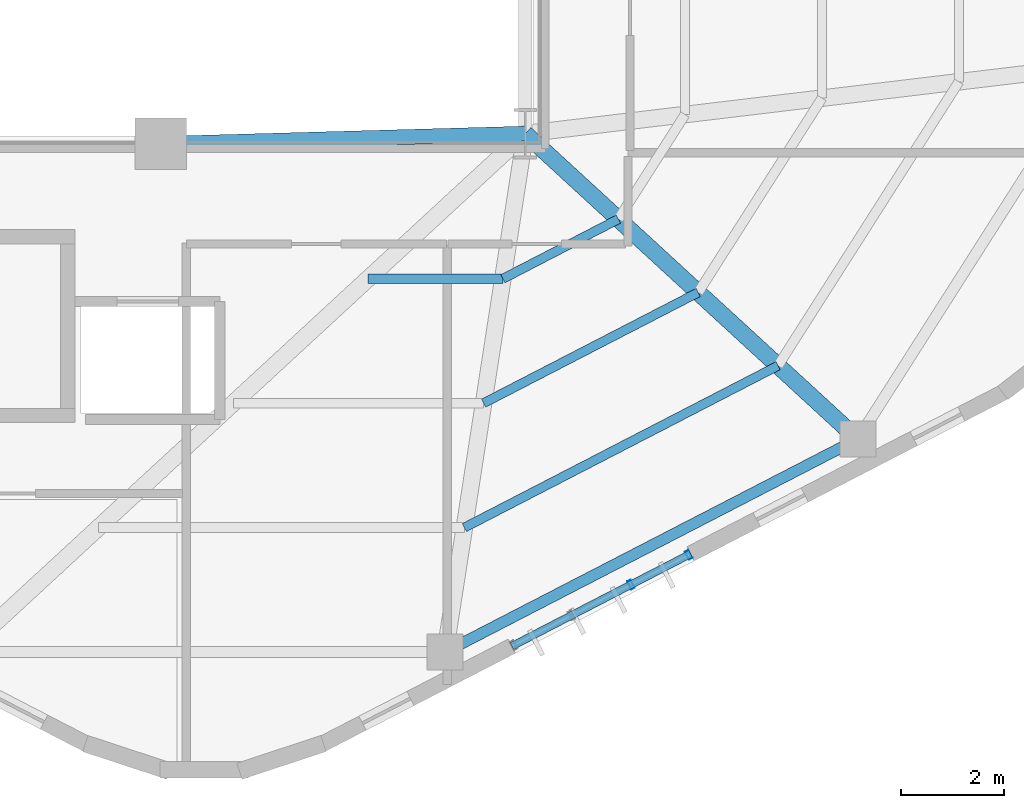
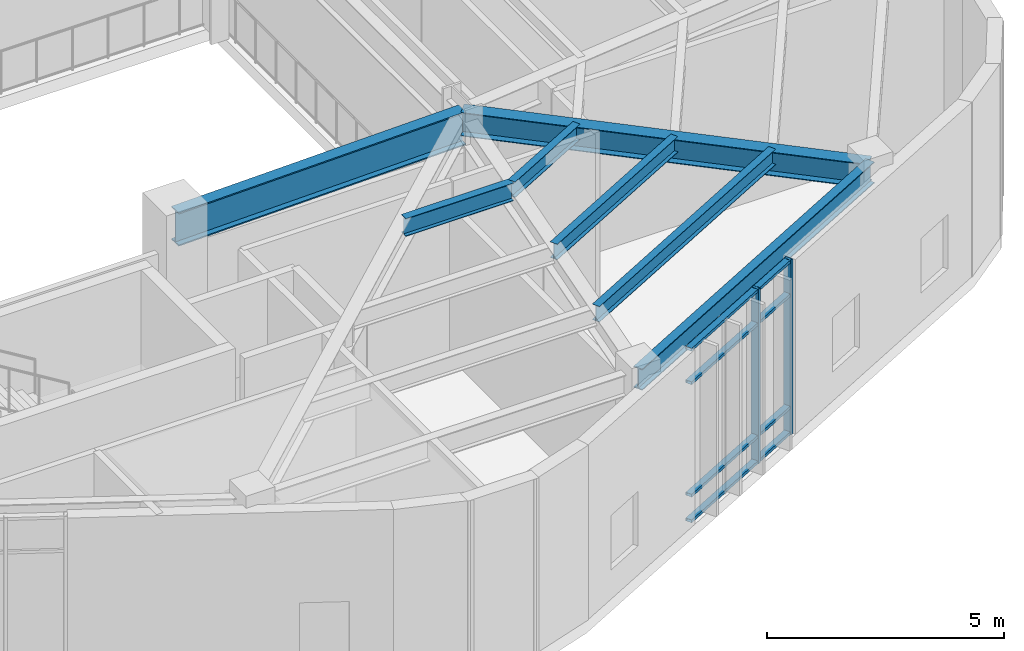
# One storey, part 4 of 18: 7 beams, 6 members, 1 element without a shape of its own.
"""IFC4 building model written with IfcOpenShell, lengths in metres."""

from ifc_helpers import new_model, si_unit, direction, frame, origin, origin_2d, place, context, subcontext, project, spatial, hollow_rectangle, i_section, extrude, material, layer, layer_set, material_profile, profile_set, type_object, element, aggregate, save


model = new_model("IFC4")

# Units and contexts
model_context = context("Model", 3, precision=1e-05, world=origin(), true_north=direction((0.0, 1.0)))
body_context = subcontext(model_context, "Body", "Model", "MODEL_VIEW")
ifc_project = project(units=[si_unit("LENGTHUNIT", "METRE"), si_unit("AREAUNIT", "SQUARE_METRE"), si_unit("VOLUMEUNIT", "CUBIC_METRE"), si_unit("PLANEANGLEUNIT", "RADIAN"), si_unit("MASSUNIT", "GRAM", prefix="KILO"), si_unit("THERMODYNAMICTEMPERATUREUNIT", "KELVIN"), si_unit("POWERUNIT", "WATT")], contexts=[model_context])

# Site, building, storey
site_placement = place(None, origin())
site = spatial("IfcSite", under=ifc_project, at=site_placement, CompositionType="ELEMENT")
building_placement = place(site_placement, origin())
building = spatial("IfcBuilding", under=site, at=building_placement, Name="Skarre Station Tower", CompositionType="ELEMENT")
storey_placement = place(building_placement, frame((0.0, 0.0, 270.300048828125)))
storey = spatial("IfcBuildingStorey", under=building, at=storey_placement, Name="L74", CompositionType="ELEMENT", Elevation=270.300048828125)

# Curtain wall, members
ifc_material_1 = material(Name="Thermally Broken Bronze-Anodized Aluminium & Triple Low-E Glass", Category="aluminium")
ifc_layer = layer(ifc_material_1, 0.219970703125, Name="Thermally Broken Bronze-Anodized Aluminium & Triple Low-E Glass")
ifc_layer_set = layer_set([ifc_layer], Name="Thermally Broken Bronze-Anodized Aluminium & Triple Low-E Glass")
curtain_wall_type = type_object("IfcCurtainWallType", Name="Observation Deck Panorama Unitised Curtain Wall", PredefinedType="NOTDEFINED", material=ifc_layer_set)
curtain_wall_placement = place(storey_placement, origin())
curtain_wall = element("IfcCurtainWall", 1, at=curtain_wall_placement, inside=storey, type_object=curtain_wall_type, Name="L74 Facet 4 Observatory Curtain Wall", PredefinedType="NOTDEFINED")
ifc_material_2 = material(Name="Anodized Aluminium 6063-T6", Category="aluminium")
ifc_material_profile_1 = material_profile(ifc_material_2, hollow_rectangle(XDim=0.074951171875, YDim=0.14990234375, WallThickness=0.00390625, at=origin_2d()), Name="Anodized Aluminium 6063-T6")
ifc_profile_set_1 = profile_set([ifc_material_profile_1], Name="Anodized Aluminium 6063-T6")
member_type_1 = type_object("IfcMemberType", Name="Curtain-Wall Secondary Transom 150x75", PredefinedType="USERDEFINED", material=ifc_profile_set_1)
member_1_placement = place(storey_placement, frame((42.6708984375, 10.465087890625, 0.0400390625), z_axis=(-0.888470771822, -0.458933206053, 0.0), x_axis=(0.0, 0.0, 1.0)))
member_1 = element("IfcMember", 2, at=member_1_placement, type_object=member_type_1, Name="L74 Facet 4 Observatory Curtain Wall Transom 1", ObjectType="TRANSOM", PredefinedType="USERDEFINED", context=body_context, shape_type="SweptSolid", body=[
    extrude(hollow_rectangle(XDim=0.074951171875, YDim=0.14990234375, WallThickness=0.00390625, at=origin_2d()), origin(), (0.0, 0.0, 1.0), 3.920166015625),
])
member_2_placement = place(storey_placement, frame((42.6708984375, 10.465087890625, 0.699951171875), z_axis=(-0.888470771822, -0.458933206053, 0.0), x_axis=(0.0, 0.0, 1.0)))
member_2 = element("IfcMember", 3, at=member_2_placement, type_object=member_type_1, Name="L74 Facet 4 Observatory Curtain Wall Transom 2", ObjectType="TRANSOM", PredefinedType="USERDEFINED", context=body_context, shape_type="SweptSolid", body=[
    extrude(hollow_rectangle(XDim=0.074951171875, YDim=0.14990234375, WallThickness=0.00390625, at=origin_2d()), origin(), (0.0, 0.0, 1.0), 3.920166015625),
])
member_3_placement = place(storey_placement, frame((42.6708984375, 10.465087890625, 3.58984375), z_axis=(-0.888470771822, -0.458933206053, 0.0), x_axis=(0.0, 0.0, 1.0)))
member_3 = element("IfcMember", 4, at=member_3_placement, type_object=member_type_1, Name="L74 Facet 4 Observatory Curtain Wall Transom 3", ObjectType="TRANSOM", PredefinedType="USERDEFINED", context=body_context, shape_type="SweptSolid", body=[
    extrude(hollow_rectangle(XDim=0.074951171875, YDim=0.14990234375, WallThickness=0.00390625, at=origin_2d()), origin(), (0.0, 0.0, 1.0), 3.920166015625),
])
member_4_placement = place(storey_placement, frame((42.6708984375, 10.465087890625, 4.449951171875), z_axis=(-0.888470771822, -0.458933206053, 0.0), x_axis=(0.0, 0.0, 1.0)))
member_4 = element("IfcMember", 5, at=member_4_placement, type_object=member_type_1, Name="L74 Facet 4 Observatory Curtain Wall Transom 4", ObjectType="TRANSOM", PredefinedType="USERDEFINED", context=body_context, shape_type="SweptSolid", body=[
    extrude(hollow_rectangle(XDim=0.074951171875, YDim=0.14990234375, WallThickness=0.00390625, at=origin_2d()), origin(), (0.0, 0.0, 1.0), 3.920166015625),
])
ifc_material_profile_2 = material_profile(ifc_material_2, hollow_rectangle(XDim=0.074951171875, YDim=0.179931640625, WallThickness=0.00390625, at=origin_2d()), Name="Anodized Aluminium 6063-T6")
ifc_profile_set_2 = profile_set([ifc_material_profile_2], Name="Anodized Aluminium 6063-T6")
member_type_2 = type_object("IfcMemberType", Name="Curtain-Wall Unitised Tower Mullion 180x75", PredefinedType="MULLION", material=ifc_profile_set_2)
member_5_placement = place(storey_placement, frame((42.635009765625, 10.447021484375, 0.0), z_axis=(0.0, 0.0, 1.0), x_axis=(-0.88848110948, -0.458913192332, 0.0)))
member_5 = element("IfcMember", 6, at=member_5_placement, type_object=member_type_2, Name="L74 Facet 4 Observatory Curtain Wall Mullion 1", PredefinedType="MULLION", context=body_context, shape_type="SweptSolid", body=[
    extrude(hollow_rectangle(XDim=0.074951171875, YDim=0.179931640625, WallThickness=0.00390625, at=origin_2d()), origin(), (0.0, 0.0, 1.0), 4.489990234375),
])
member_6_placement = place(storey_placement, frame((41.510009765625, 9.864990234375, 0.0), z_axis=(0.0, 0.0, 1.0), x_axis=(-0.88848110948, -0.458913192332, 0.0)))
member_6 = element("IfcMember", 7, at=member_6_placement, type_object=member_type_2, Name="L74 Facet 4 Observatory Curtain Wall Mullion 2", PredefinedType="MULLION", context=body_context, shape_type="SweptSolid", body=[
    extrude(hollow_rectangle(XDim=0.074951171875, YDim=0.179931640625, WallThickness=0.00390625, at=origin_2d()), origin(), (0.0, 0.0, 1.0), 4.489990234375),
])
aggregate(curtain_wall, [member_5, member_6, member_1, member_2, member_3, member_4])

# Beams
ifc_material_3 = material(Name="Steel ASTM A992 Grade 50", Category="steel")
ifc_material_profile_3 = material_profile(ifc_material_3, i_section(OverallWidth=0.323974609375, OverallDepth=0.611083984375, WebThickness=0.012939453125, FlangeThickness=0.01904296875, at=origin_2d()), Name="Steel ASTM A992 Grade 50")
ifc_profile_set_3 = profile_set([ifc_material_profile_3], Name="Steel ASTM A992 Grade 50")
beam_type_1 = type_object("IfcBeamType", Name="Steel Beam W24X104", PredefinedType="BEAM", material=ifc_profile_set_3)
beam_1_placement = place(storey_placement, frame((39.449951171875, 18.64990234375, 4.18505859375), z_axis=(0.736547671183, -0.676385635621, 0.0), x_axis=(0.676385635621, 0.736547671183, 0.0)))
element("IfcBeam", 8, at=beam_1_placement, inside=storey, type_object=beam_type_1, Name="L74 Radial Floor Girder F4C2", PredefinedType="BEAM", context=body_context, shape_type="SweptSolid", body=[
    extrude(i_section(OverallWidth=0.323974609375, OverallDepth=0.611083984375, WebThickness=0.012939453125, FlangeThickness=0.01904296875, at=origin_2d()), origin(), (0.0, 0.0, 1.0), 8.793701171875),
])
ifc_material_profile_4 = material_profile(ifc_material_3, i_section(OverallWidth=0.2919921875, OverallDepth=0.85888671875, WebThickness=0.01708984375, FlangeThickness=0.031005859375, at=origin_2d()), Name="Steel ASTM A992 Grade 50")
ifc_profile_set_4 = profile_set([ifc_material_profile_4], Name="Steel ASTM A992 Grade 50")
beam_type_2 = type_object("IfcBeamType", Name="Steel Beam W33X169", PredefinedType="BEAM", material=ifc_profile_set_4)
beam_2_placement = place(storey_placement, frame((32.35009765625, 18.449951171875, 4.06103515625), z_axis=(0.999603666405, 0.028151556095, 0.0), x_axis=(-0.028151556095, 0.999603666405, 0.0)))
element("IfcBeam", 9, at=beam_2_placement, inside=storey, type_object=beam_type_2, Name="L74 Atrium South Edge Girder", PredefinedType="BEAM", context=body_context, shape_type="SweptSolid", body=[
    extrude(i_section(OverallWidth=0.2919921875, OverallDepth=0.85888671875, WebThickness=0.01708984375, FlangeThickness=0.031005859375, at=origin_2d()), origin(), (0.0, 0.0, 1.0), 7.102783203125),
])
ifc_material_profile_5 = material_profile(ifc_material_3, i_section(OverallWidth=0.177978515625, OverallDepth=0.403076171875, WebThickness=0.008056640625, FlangeThickness=0.010986328125, at=origin_2d()), Name="Steel ASTM A992 Grade 50")
ifc_profile_set_5 = profile_set([ifc_material_profile_5], Name="Steel ASTM A992 Grade 50")
beam_type_3 = type_object("IfcBeamType", Name="Steel Joist W16X36", PredefinedType="JOIST", material=ifc_profile_set_5)
beam_3_placement = place(storey_placement, frame((39.012939453125, 15.822998046875, 4.2890625), z_axis=(0.888569970054, 0.458741112522, 0.0), x_axis=(-0.458741112522, 0.888569970054, 0.0)))
element("IfcBeam", 10, at=beam_3_placement, inside=storey, type_object=beam_type_3, Name="L74 Auxiliary Composite Joist 15", PredefinedType="JOIST", context=body_context, shape_type="SweptSolid", body=[
    extrude(i_section(OverallWidth=0.177978515625, OverallDepth=0.403076171875, WebThickness=0.008056640625, FlangeThickness=0.010986328125, at=origin_2d()), origin(), (0.0, 0.0, 1.0), 2.533203125),
])
beam_4_placement = place(storey_placement, frame((38.637939453125, 13.39990234375, 4.2890625), z_axis=(0.88866637077, 0.458554338614, 0.0), x_axis=(-0.458554338614, 0.88866637077, 0.0)))
element("IfcBeam", 11, at=beam_4_placement, inside=storey, type_object=beam_type_3, Name="L74 Auxiliary Composite Joist 16", PredefinedType="JOIST", context=body_context, shape_type="SweptSolid", body=[
    extrude(i_section(OverallWidth=0.177978515625, OverallDepth=0.403076171875, WebThickness=0.008056640625, FlangeThickness=0.010986328125, at=origin_2d()), origin(), (0.0, 0.0, 1.0), 4.703857421875),
])
beam_5_placement = place(storey_placement, frame((38.263916015625, 10.97607421875, 4.2890625), z_axis=(0.888578636, 0.458724326414, 0.0), x_axis=(-0.458724326414, 0.888578636, 0.0)))
element("IfcBeam", 12, at=beam_5_placement, inside=storey, type_object=beam_type_3, Name="L74 Auxiliary Composite Joist 17", PredefinedType="JOIST", context=body_context, shape_type="SweptSolid", body=[
    extrude(i_section(OverallWidth=0.177978515625, OverallDepth=0.403076171875, WebThickness=0.008056640625, FlangeThickness=0.010986328125, at=origin_2d()), origin(), (0.0, 0.0, 1.0), 6.875244140625),
])
ifc_material_profile_6 = material_profile(ifc_material_3, i_section(OverallWidth=0.19091796875, OverallDepth=0.45703125, WebThickness=0.009033203125, FlangeThickness=0.013916015625, at=origin_2d()), Name="Steel ASTM A992 Grade 50")
ifc_profile_set_6 = profile_set([ifc_material_profile_6], Name="Steel ASTM A992 Grade 50")
beam_type_4 = type_object("IfcBeamType", Name="Steel Joist W18X50", PredefinedType="JOIST", material=ifc_profile_set_6)
beam_6_placement = place(storey_placement, frame((36.386962890625, 15.822998046875, 4.261962890625), z_axis=(1.0, 0.0, 0.0), x_axis=(0.0, 1.0, 0.0)))
element("IfcBeam", 13, at=beam_6_placement, inside=storey, type_object=beam_type_4, Name="L74 Auxiliary Composite Joist 12", PredefinedType="JOIST", context=body_context, shape_type="SweptSolid", body=[
    extrude(i_section(OverallWidth=0.19091796875, OverallDepth=0.45703125, WebThickness=0.009033203125, FlangeThickness=0.013916015625, at=origin_2d()), origin(), (0.0, 0.0, 1.0), 2.6259765625),
])
ifc_material_profile_7 = material_profile(ifc_material_3, i_section(OverallWidth=0.214111328125, OverallDepth=0.549072265625, WebThickness=0.014892578125, FlangeThickness=0.02392578125, at=origin_2d()), Name="Steel ASTM A992 Grade 50")
ifc_profile_set_7 = profile_set([ifc_material_profile_7], Name="Steel ASTM A992 Grade 50")
beam_type_5 = type_object("IfcBeamType", Name="Steel Spandrel W21X93", PredefinedType="SPANDREL", material=ifc_profile_set_7)
beam_7_placement = place(storey_placement, frame((37.888916015625, 8.552978515625, 4.216064453125), z_axis=(0.888610011727, 0.458663544505, 0.0), x_axis=(-0.458663544505, 0.888610011727, 0.0)))
element("IfcBeam", 14, at=beam_7_placement, inside=storey, type_object=beam_type_5, Name="L74 Facet Spandrel Beam 9", PredefinedType="SPANDREL", context=body_context, shape_type="SweptSolid", body=[
    extrude(i_section(OverallWidth=0.214111328125, OverallDepth=0.549072265625, WebThickness=0.014892578125, FlangeThickness=0.02392578125, at=origin_2d()), origin(), (0.0, 0.0, 1.0), 9.045654296875),
])

save(model, "model.ifc")
